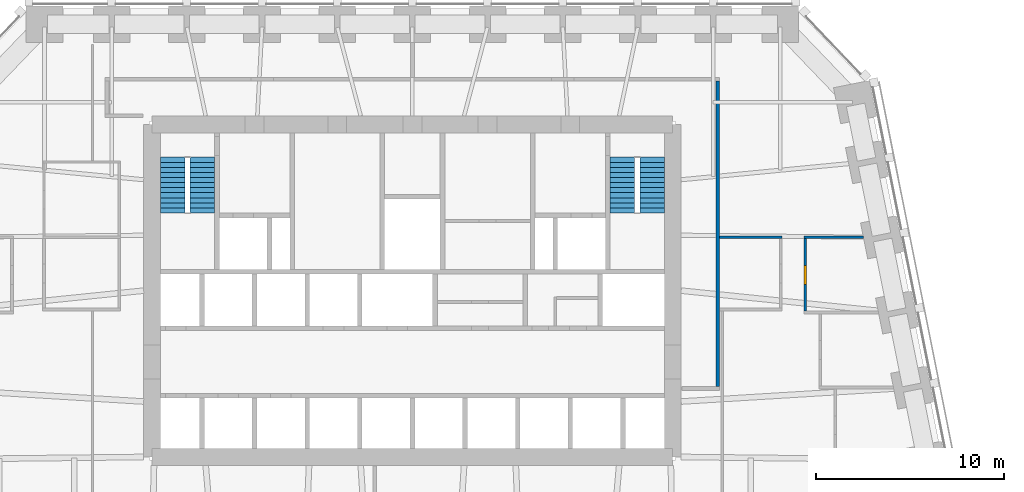
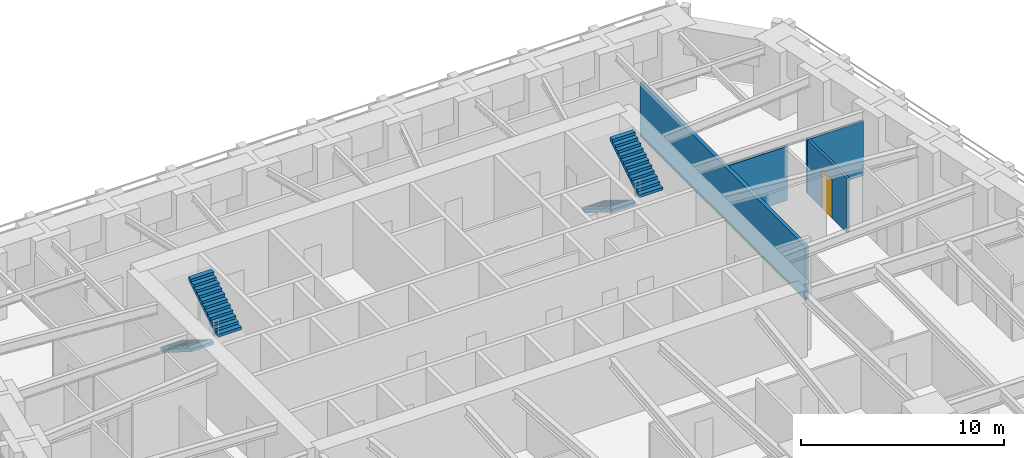
# One storey, part 8 of 10: 4 stair flights, 4 walls, 1 door, 1 opening, 2 elements without a shape of their own.
"""IFC4 building model written with IfcOpenShell, lengths in metres."""

from ifc_helpers import new_model, si_unit, direction, frame, frame_2d, origin, place, context, subcontext, project, spatial, polyline, rectangle, outline, extrude, material, layer, layer_set, type_object, element, fill, aggregate, save


model = new_model("IFC4")

# Units and contexts
model_context = context("Model", 3, precision=1e-05, world=origin(), true_north=direction((0.0, 1.0)))
body_context = subcontext(model_context, "Body", "Model", "MODEL_VIEW")
ifc_project = project(units=[si_unit("LENGTHUNIT", "METRE"), si_unit("AREAUNIT", "SQUARE_METRE"), si_unit("VOLUMEUNIT", "CUBIC_METRE"), si_unit("PLANEANGLEUNIT", "RADIAN"), si_unit("MASSUNIT", "GRAM", prefix="KILO")], contexts=[model_context])

# Site, building, storey
site_placement = place(None, origin())
site = spatial("IfcSite", under=ifc_project, at=site_placement, CompositionType="ELEMENT")
building_placement = place(site_placement, origin())
building = spatial("IfcBuilding", under=site, at=building_placement, Name="Isbrekke Arena Tower", CompositionType="ELEMENT")
storey_placement = place(building_placement, frame((0.0, 0.0, 60.0)))
storey = spatial("IfcBuildingStorey", under=building, at=storey_placement, Name="L12", CompositionType="ELEMENT", Elevation=60.0)

# Walls
ifc_material_1 = material(Name="Gypsum board partition on steel studs", Category="steel")
ifc_layer_1 = layer(ifc_material_1, 0.14990234375)
ifc_layer_set_1 = layer_set([ifc_layer_1], Name="IW1 PARTITION 150")
wall_type_1 = type_object("IfcWallType", Name="IW1 PARTITION 150", PredefinedType="PARTITIONING", material=ifc_layer_set_1)
wall_1_placement = place(storey_placement, frame((16.35009765625, 17.840087890625, 0.0), z_axis=(0.0, 0.0, 1.0), x_axis=(1.0, 0.0, 0.0)))
element("IfcWall", 1, at=wall_1_placement, inside=storey, type_object=wall_type_1, Name="IW1 partition 150 L12", PredefinedType="PARTITIONING", context=body_context, shape_type="SweptSolid", body=[
    extrude(rectangle(XDim=3.324951171875, YDim=0.14990234375, at=frame_2d((1.66259765625, 0.0))), origin(), (0.0, 0.0, 1.0), 3.25),
])
wall_2_placement = place(storey_placement, frame((20.824951171875, 17.840087890625, 0.0), z_axis=(0.0, 0.0, 1.0), x_axis=(1.0, 0.0, 0.0)))
element("IfcWall", 2, at=wall_2_placement, inside=storey, type_object=wall_type_1, Name="IW1 partition 150 L12", PredefinedType="PARTITIONING", context=body_context, shape_type="SweptSolid", body=[
    extrude(rectangle(XDim=3.17138671875, YDim=0.14990234375, at=frame_2d((1.585693359375, 0.0))), origin(), (0.0, 0.0, 1.0), 3.25),
])

# Wall, opening, door
wall_3_placement = place(storey_placement, frame((20.89990234375, 13.9150390625, 0.0), z_axis=(0.0, 0.0, 1.0), x_axis=(0.0, 1.0, 0.0)))
wall_3 = element("IfcWall", 3, at=wall_3_placement, inside=storey, type_object=wall_type_1, Name="IW1 partition 150 L12", PredefinedType="PARTITIONING", context=body_context, shape_type="SweptSolid", body=[
    extrude(rectangle(XDim=3.849853515625, YDim=0.14990234375, at=frame_2d((1.9248046875, 0.0))), origin(), (0.0, 0.0, 1.0), 3.25),
])
opening_placement = place(wall_3_placement, frame((1.425048828125, 0.0, 0.0)))
opening = element("IfcOpeningElement", 4, at=opening_placement, cuts=wall_3, Name="Opening D10", PredefinedType="OPENING", context=body_context, shape_type="SweptSolid", body=[
    extrude(rectangle(XDim=1.0, YDim=2.300048828125, at=frame_2d((0.5, 1.14990234375))), frame((0.0, 0.08984375, 0.0), z_axis=(0.0, -1.0, 0.0), x_axis=(1.0, 0.0, 0.0)), (0.0, 0.0, 1.0), 0.1796875),
])
ifc_material_2 = material(Name="Timber door", Category="wood")
door_type = type_object("IfcDoorType", Name="D10 OFFICE DOOR 1000 x 2300", OperationType="SINGLE_SWING_LEFT", PredefinedType="DOOR", material=ifc_material_2)
door_placement = place(opening_placement, origin())
door = element("IfcDoor", 5, at=door_placement, inside=storey, type_object=door_type, Name="D10 office door L12", OperationType="SINGLE_SWING_LEFT", OverallHeight=2.300048828125, OverallWidth=1.0, PredefinedType="DOOR", context=body_context, shape_type="SweptSolid", body=[
    extrude(rectangle(XDim=1.0, YDim=2.300048828125, at=frame_2d((0.5, 1.14990234375))), frame((0.0, 0.07470703125, 0.0), z_axis=(0.0, -1.0, 0.0), x_axis=(1.0, 0.0, 0.0)), (0.0, 0.0, 1.0), 0.1494140625),
])
fill(opening, door)

# Wall
ifc_material_3 = material(Name="Gypsum board fire-cell wall on steel studs, two layers each side", Category="steel")
ifc_layer_2 = layer(ifc_material_3, 0.199951171875)
ifc_layer_set_2 = layer_set([ifc_layer_2], Name="IW3 FIRE-CELL WALL 200")
wall_type_2 = type_object("IfcWallType", Name="IW3 FIRE-CELL WALL 200", PredefinedType="PARTITIONING", material=ifc_layer_set_2)
wall_4_placement = place(storey_placement, frame((16.25, 9.89990234375, 0.0), z_axis=(0.0, 0.0, 1.0), x_axis=(0.0, 1.0, 0.0)))
element("IfcWall", 6, at=wall_4_placement, inside=storey, type_object=wall_type_2, Name="IW3 fire-cell wall 200 L12", PredefinedType="PARTITIONING", context=body_context, shape_type="SweptSolid", body=[
    extrude(rectangle(XDim=16.25, YDim=0.199951171875, at=frame_2d((8.125, 0.0))), origin(), (0.0, 0.0, 1.0), 3.25),
])

# Stair, stair flights
ifc_material_4 = material(Name="Concrete B45 (C45/55) precast", Category="concrete")
stair_type = type_object("IfcStairType", Name="ST40 STAIR 1300 WIDE, 24 RISERS 167", PredefinedType="HALF_TURN_STAIR", material=ifc_material_4)
stair_1_placement = place(storey_placement, origin())
stair_1 = element("IfcStair", 7, at=stair_1_placement, inside=storey, type_object=stair_type, Name="ST1 stair L12", PredefinedType="HALF_TURN_STAIR")
ifc_material_5 = material(Name="Concrete B45 (C45/55) precast", Category="concrete")
stair_flight_type = type_object("IfcStairFlightType", Name="SF 1300 FLIGHT", PredefinedType="STRAIGHT", material=ifc_material_5)
stair_flight_1_placement = place(storey_placement, frame((-12.75, 22.10009765625, 0.0), z_axis=(0.0, 0.0, 1.0), x_axis=(0.0, -1.0, 0.0)))
stair_flight_1 = element("IfcStairFlight", 8, at=stair_flight_1_placement, type_object=stair_flight_type, Name="ST1 flight 1", NumberOfRisers=12, NumberOfTreads=11, PredefinedType="STRAIGHT", RiserHeight=0.166666667, TreadLength=0.27, context=body_context, shape_type="SweptSolid", body=[
    extrude(outline(polyline([(0.0, 0.0), (0.0, 0.166748046875), (0.27001953125, 0.166748046875), (0.27001953125, 0.333251953125), (0.5400390625, 0.333251953125), (0.5400390625, 0.5), (0.81005859375, 0.5), (0.81005859375, 0.666748046875), (1.080078125, 0.666748046875), (1.080078125, 0.833251953125), (1.35009765625, 0.833251953125), (1.35009765625, 1.0), (1.6201171875, 1.0), (1.6201171875, 1.166748046875), (1.889892578125, 1.166748046875), (1.889892578125, 1.333251953125), (2.159912109375, 1.333251953125), (2.159912109375, 1.5), (2.429931640625, 1.5), (2.429931640625, 1.666748046875), (2.699951171875, 1.666748046875), (2.699951171875, 1.833251953125), (2.969970703125, 1.833251953125), (2.969970703125, 2.0), (2.969970703125, 1.6572265625), (0.285400390625, 0.0), (0.0, 0.0)])), frame((0.0, 0.64990234375, 0.0), z_axis=(0.0, -1.0, 0.0), x_axis=(1.0, 0.0, 0.0)), (0.0, 0.0, 1.0), 1.300048828125),
])
stair_flight_2_placement = place(storey_placement, frame((-11.175048828125, 19.1298828125, 2.0), z_axis=(0.0, 0.0, 1.0), x_axis=(0.0, 1.0, 0.0)))
stair_flight_2 = element("IfcStairFlight", 9, at=stair_flight_2_placement, type_object=stair_flight_type, Name="ST1 flight 2", NumberOfRisers=12, NumberOfTreads=11, PredefinedType="STRAIGHT", RiserHeight=0.166666667, TreadLength=0.27, context=body_context, shape_type="SweptSolid", body=[
    extrude(outline(polyline([(0.0, 0.0), (0.0, 0.166748046875), (0.27001953125, 0.166748046875), (0.27001953125, 0.333251953125), (0.5400390625, 0.333251953125), (0.5400390625, 0.5), (0.81005859375, 0.5), (0.81005859375, 0.666748046875), (1.080078125, 0.666748046875), (1.080078125, 0.833251953125), (1.35009765625, 0.833251953125), (1.35009765625, 1.0), (1.6201171875, 1.0), (1.6201171875, 1.166748046875), (1.889892578125, 1.166748046875), (1.889892578125, 1.333251953125), (2.159912109375, 1.333251953125), (2.159912109375, 1.5), (2.429931640625, 1.5), (2.429931640625, 1.666748046875), (2.699951171875, 1.666748046875), (2.699951171875, 1.833251953125), (2.969970703125, 1.833251953125), (2.969970703125, 2.0), (2.969970703125, 1.6572265625), (0.285400390625, 0.0), (0.0, 0.0)])), frame((0.0, 0.64990234375, 0.0), z_axis=(0.0, -1.0, 0.0), x_axis=(1.0, 0.0, 0.0)), (0.0, 0.0, 1.0), 1.300048828125),
])
aggregate(stair_1, [stair_flight_1, stair_flight_2])

stair_2_placement = place(storey_placement, origin())
stair_2 = element("IfcStair", 10, at=stair_2_placement, inside=storey, type_object=stair_type, Name="ST2 stair L12", PredefinedType="HALF_TURN_STAIR")
stair_flight_3_placement = place(storey_placement, frame((11.175048828125, 22.10009765625, 0.0), z_axis=(0.0, 0.0, 1.0), x_axis=(0.0, -1.0, 0.0)))
stair_flight_3 = element("IfcStairFlight", 11, at=stair_flight_3_placement, type_object=stair_flight_type, Name="ST2 flight 1", NumberOfRisers=12, NumberOfTreads=11, PredefinedType="STRAIGHT", RiserHeight=0.166666667, TreadLength=0.27, context=body_context, shape_type="SweptSolid", body=[
    extrude(outline(polyline([(0.0, 0.0), (0.0, 0.166748046875), (0.27001953125, 0.166748046875), (0.27001953125, 0.333251953125), (0.5400390625, 0.333251953125), (0.5400390625, 0.5), (0.81005859375, 0.5), (0.81005859375, 0.666748046875), (1.080078125, 0.666748046875), (1.080078125, 0.833251953125), (1.35009765625, 0.833251953125), (1.35009765625, 1.0), (1.6201171875, 1.0), (1.6201171875, 1.166748046875), (1.889892578125, 1.166748046875), (1.889892578125, 1.333251953125), (2.159912109375, 1.333251953125), (2.159912109375, 1.5), (2.429931640625, 1.5), (2.429931640625, 1.666748046875), (2.699951171875, 1.666748046875), (2.699951171875, 1.833251953125), (2.969970703125, 1.833251953125), (2.969970703125, 2.0), (2.969970703125, 1.6572265625), (0.285400390625, 0.0), (0.0, 0.0)])), frame((0.0, 0.64990234375, 0.0), z_axis=(0.0, -1.0, 0.0), x_axis=(1.0, 0.0, 0.0)), (0.0, 0.0, 1.0), 1.300048828125),
])
stair_flight_4_placement = place(storey_placement, frame((12.75, 19.1298828125, 2.0), z_axis=(0.0, 0.0, 1.0), x_axis=(0.0, 1.0, 0.0)))
stair_flight_4 = element("IfcStairFlight", 12, at=stair_flight_4_placement, type_object=stair_flight_type, Name="ST2 flight 2", NumberOfRisers=12, NumberOfTreads=11, PredefinedType="STRAIGHT", RiserHeight=0.166666667, TreadLength=0.27, context=body_context, shape_type="SweptSolid", body=[
    extrude(outline(polyline([(0.0, 0.0), (0.0, 0.166748046875), (0.27001953125, 0.166748046875), (0.27001953125, 0.333251953125), (0.5400390625, 0.333251953125), (0.5400390625, 0.5), (0.81005859375, 0.5), (0.81005859375, 0.666748046875), (1.080078125, 0.666748046875), (1.080078125, 0.833251953125), (1.35009765625, 0.833251953125), (1.35009765625, 1.0), (1.6201171875, 1.0), (1.6201171875, 1.166748046875), (1.889892578125, 1.166748046875), (1.889892578125, 1.333251953125), (2.159912109375, 1.333251953125), (2.159912109375, 1.5), (2.429931640625, 1.5), (2.429931640625, 1.666748046875), (2.699951171875, 1.666748046875), (2.699951171875, 1.833251953125), (2.969970703125, 1.833251953125), (2.969970703125, 2.0), (2.969970703125, 1.6572265625), (0.285400390625, 0.0), (0.0, 0.0)])), frame((0.0, 0.64990234375, 0.0), z_axis=(0.0, -1.0, 0.0), x_axis=(1.0, 0.0, 0.0)), (0.0, 0.0, 1.0), 1.300048828125),
])
aggregate(stair_2, [stair_flight_3, stair_flight_4])

save(model, "model.ifc")
